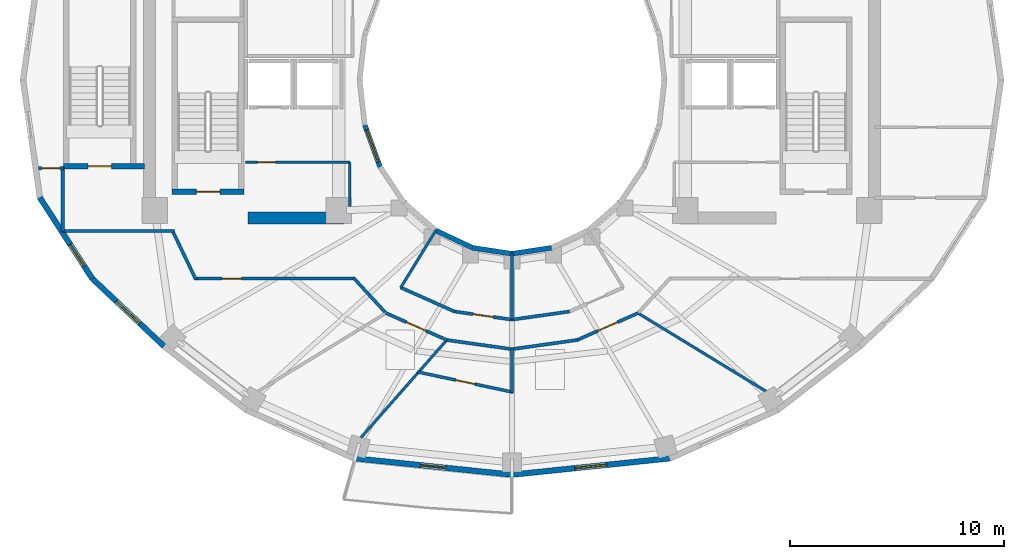
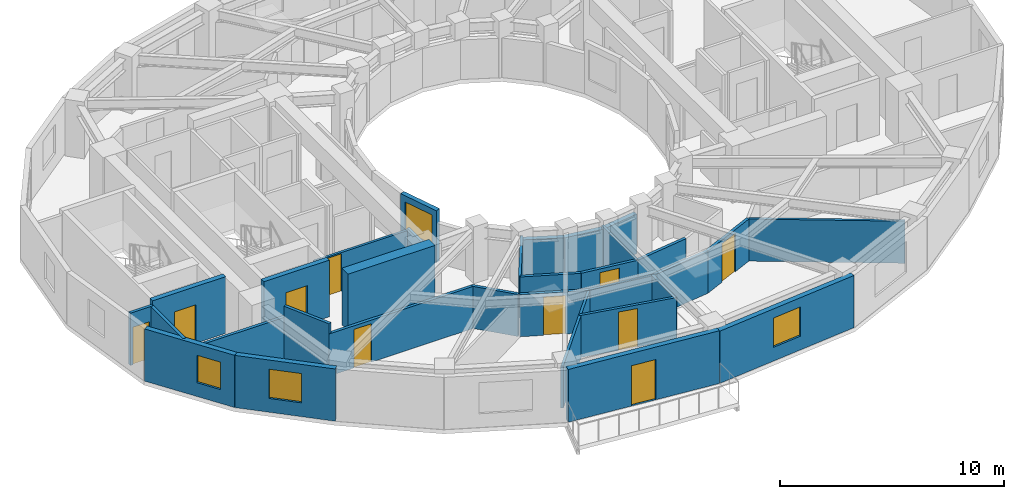
# One storey, part 3 of 9: 32 walls, 10 doors, 4 windows, 14 openings.
"""IFC4 building model written with IfcOpenShell, lengths in metres."""

from ifc_helpers import new_model, si_unit, direction, frame, frame_2d, origin, place, context, subcontext, project, spatial, rectangle, extrude, material, layer, layer_set, type_object, element, fill, save


model = new_model("IFC4")

# Units and contexts
model_context = context("Model", 3, precision=1e-05, world=origin(), true_north=direction((0.0, 1.0)))
body_context = subcontext(model_context, "Body", "Model", "MODEL_VIEW")
ifc_project = project(units=[si_unit("LENGTHUNIT", "METRE"), si_unit("AREAUNIT", "SQUARE_METRE"), si_unit("VOLUMEUNIT", "CUBIC_METRE"), si_unit("PLANEANGLEUNIT", "RADIAN"), si_unit("MASSUNIT", "GRAM", prefix="KILO")], contexts=[model_context])

# Site, building, storey
site_placement = place(None, origin())
site = spatial("IfcSite", under=ifc_project, at=site_placement, CompositionType="ELEMENT")
building_placement = place(site_placement, origin())
building = spatial("IfcBuilding", under=site, at=building_placement, Name="Solvane Sanctuary Tower", CompositionType="ELEMENT")
storey_placement = place(building_placement, frame((0.0, 0.0, 174.60009765625)))
storey = spatial("IfcBuildingStorey", under=building, at=storey_placement, Name="L53", CompositionType="ELEMENT", Elevation=174.60009765625)

# Wall
ifc_material_1 = material(Name="Concrete C50/60", Category="concrete")
ifc_layer_1 = layer(ifc_material_1, 0.550048828125, Name="Concrete C50/60")
ifc_layer_set_1 = layer_set([ifc_layer_1], Name="Concrete C50/60")
wall_type_1 = type_object("IfcWallType", Name="Wall W-CORE-550", PredefinedType="SHEAR", material=ifc_layer_set_1)
wall_1_placement = place(storey_placement, frame((19.64990234375, 16.550048828125, 0.0), z_axis=(0.0, 0.0, 1.0), x_axis=(1.0, 0.0, 0.0)))
element("IfcWall", 1, at=wall_1_placement, inside=storey, type_object=wall_type_1, Name="L53 Core Shear Wall WC-S", PredefinedType="SHEAR", context=body_context, shape_type="SweptSolid", body=[
    extrude(rectangle(XDim=4.5, YDim=0.550048828125, at=frame_2d((2.25, 0.0))), origin(), (0.0, 0.0, 1.0), 3.099853515625),
])

# Wall, opening, door
ifc_material_2 = material(Name="Acoustic Gypsum Partition Board")
ifc_layer_2 = layer(ifc_material_2, 0.14990234375, Name="Acoustic Gypsum Partition Board")
ifc_layer_set_2 = layer_set([ifc_layer_2], Name="Acoustic Gypsum Partition Board")
wall_type_2 = type_object("IfcWallType", Name="Wall W-CORR-150", PredefinedType="PARTITIONING", material=ifc_layer_set_2)
wall_2_placement = place(storey_placement, frame((9.869873046875, 18.8798828125, 0.0), z_axis=(0.0, 0.0, 1.0), x_axis=(1.0, 0.0, 0.0)))
wall_2 = element("IfcWall", 2, at=wall_2_placement, inside=storey, type_object=wall_type_2, Name="L53 SW Corner Closer 1", PredefinedType="PARTITIONING", context=body_context, shape_type="SweptSolid", body=[
    extrude(rectangle(XDim=1.170166015625, YDim=0.14990234375, at=frame_2d((0.5849609375, 0.0))), origin(), (0.0, 0.0, 1.0), 2.85498046875),
])
opening_1_placement = place(wall_2_placement, frame((0.139892578125, 0.0, 0.0)))
opening_1 = element("IfcOpeningElement", 3, at=opening_1_placement, cuts=wall_2, Name="Opening D-L53-16", PredefinedType="OPENING", context=body_context, shape_type="SweptSolid", body=[
    extrude(rectangle(XDim=0.85009765625, YDim=2.050048828125, at=frame_2d((0.425048828125, 1.02490234375))), frame((0.0, 0.0849609375, 0.0), z_axis=(0.0, -1.0, 0.0), x_axis=(1.0, 0.0, 0.0)), (0.0, 0.0, 1.0), 0.169921875),
])
ifc_material_3 = material(Name="Architectural Stainless Steel 316", Category="steel")
door_type_1 = type_object("IfcDoorType", Name="Door D-RISER", OperationType="NOTDEFINED", PredefinedType="DOOR", material=ifc_material_3)
door_1_placement = place(opening_1_placement, origin())
door_1 = element("IfcDoor", 4, at=door_1_placement, inside=storey, type_object=door_type_1, Name="L53 West Lookout Study Door", OperationType="SINGLE_SWING_LEFT", OverallHeight=2.050048828125, OverallWidth=0.85009765625, PredefinedType="DOOR", context=body_context, shape_type="SweptSolid", body=[
    extrude(rectangle(XDim=0.85009765625, YDim=2.050048828125, at=frame_2d((0.425048828125, 1.02490234375))), frame((0.0, 0.02490234375, 0.0), z_axis=(0.0, -1.0, 0.0), x_axis=(1.0, 0.0, 0.0)), (0.0, 0.0, 1.0), 0.050048828125),
])
fill(opening_1, door_1)

# Walls
wall_3_placement = place(storey_placement, frame((11.0, 15.909912109375, 0.0), z_axis=(0.0, 0.0, 1.0), x_axis=(0.0, 1.0, 0.0)))
element("IfcWall", 5, at=wall_3_placement, inside=storey, type_object=wall_type_2, Name="L53 SW Corner Closer 2", PredefinedType="PARTITIONING", context=body_context, shape_type="SweptSolid", body=[
    extrude(rectangle(XDim=3.010009765625, YDim=0.14990234375, at=frame_2d((1.5048828125, 0.0))), origin(), (0.0, 0.0, 1.0), 2.85498046875),
])
wall_4_placement = place(storey_placement, frame((10.9599609375, 15.949951171875, 0.0), z_axis=(0.0, 0.0, 1.0), x_axis=(1.0, 0.0, 0.0)))
element("IfcWall", 6, at=wall_4_placement, inside=storey, type_object=wall_type_2, Name="L53 SW Corner Closer 3", PredefinedType="PARTITIONING", context=body_context, shape_type="SweptSolid", body=[
    extrude(rectangle(XDim=5.260009765625, YDim=0.14990234375, at=frame_2d((2.6298828125, 0.0))), origin(), (0.0, 0.0, 1.0), 2.219970703125),
])
wall_5_placement = place(storey_placement, frame((26.07177734375, 12.144287109375, 0.0), z_axis=(0.0, 0.0, 1.0), x_axis=(-0.677579737957, 0.735449317567, 0.0)))
element("IfcWall", 7, at=wall_5_placement, inside=storey, type_object=wall_type_2, Name="L53 SW Corner Throat Wall", PredefinedType="PARTITIONING", context=body_context, shape_type="SweptSolid", body=[
    extrude(rectangle(XDim=2.172607421875, YDim=0.14990234375, at=frame_2d((1.08642578125, 0.0))), origin(), (0.0, 0.0, 1.0), 2.298828125),
])

# Wall, opening, door
wall_6_placement = place(storey_placement, frame((17.14990234375, 13.719970703125, 0.0), z_axis=(0.0, 0.0, 1.0), x_axis=(1.0, 0.0, 0.0)))
wall_6 = element("IfcWall", 8, at=wall_6_placement, inside=storey, type_object=wall_type_2, Name="L53 SW Corner Corridor Wall", PredefinedType="PARTITIONING", context=body_context, shape_type="SweptSolid", body=[
    extrude(rectangle(XDim=7.52001953125, YDim=0.14990234375, at=frame_2d((3.760009765625, 0.0))), origin(), (0.0, 0.0, 1.0), 2.298828125),
])
opening_2_placement = place(wall_6_placement, frame((1.300048828125, 0.0, 0.0)))
opening_2 = element("IfcOpeningElement", 9, at=opening_2_placement, cuts=wall_6, Name="Opening D-L53-17", PredefinedType="OPENING", context=body_context, shape_type="SweptSolid", body=[
    extrude(rectangle(XDim=0.89990234375, YDim=2.10009765625, at=frame_2d((0.449951171875, 1.050048828125))), frame((0.0, 0.0849609375, 0.0), z_axis=(0.0, -1.0, 0.0), x_axis=(1.0, 0.0, 0.0)), (0.0, 0.0, 1.0), 0.169921875),
])
ifc_material_4 = material(Name="Engineered Tropical Hardwood", Category="wood")
door_type_2 = type_object("IfcDoorType", Name="Door D-WET-900", OperationType="NOTDEFINED", PredefinedType="DOOR", material=ifc_material_4)
door_2_placement = place(opening_2_placement, origin())
door_2 = element("IfcDoor", 10, at=door_2_placement, inside=storey, type_object=door_type_2, Name="L53 SW Corner Salon Door", OperationType="SINGLE_SWING_RIGHT", OverallHeight=2.10009765625, OverallWidth=0.89990234375, PredefinedType="DOOR", context=body_context, shape_type="SweptSolid", body=[
    extrude(rectangle(XDim=0.89990234375, YDim=2.10009765625, at=frame_2d((0.449951171875, 1.050048828125))), frame((0.0, 0.02490234375, 0.0), z_axis=(0.0, -1.0, 0.0), x_axis=(1.0, 0.0, 0.0)), (0.0, 0.0, 1.0), 0.050048828125),
])
fill(opening_2, door_2)

# Walls
wall_7_placement = place(storey_placement, frame((17.2216796875, 13.6748046875, 0.0), z_axis=(0.0, 0.0, 1.0), x_axis=(-0.431973389813, 0.901886351207, 0.0)))
element("IfcWall", 11, at=wall_7_placement, inside=storey, type_object=wall_type_2, Name="L53 SW Corner Wing Wall", PredefinedType="PARTITIONING", context=body_context, shape_type="SweptSolid", body=[
    extrude(rectangle(XDim=2.45166015625, YDim=0.14990234375, at=frame_2d((1.225830078125, 0.0))), origin(), (0.0, 0.0, 1.0), 2.85498046875),
])
wall_8_placement = place(storey_placement, frame((26.792724609375, 13.302734375, 0.0), z_axis=(0.0, 0.0, 1.0), x_axis=(0.913145536541, -0.407633694749, 0.0)))
element("IfcWall", 12, at=wall_8_placement, inside=storey, type_object=wall_type_2, Name="L53 Inner Light-Well Corridor Wall S1", PredefinedType="PARTITIONING", context=body_context, shape_type="SweptSolid", body=[
    extrude(rectangle(XDim=2.75634765625, YDim=0.14990234375, at=frame_2d((1.378173828125, 0.0))), origin(), (0.0, 0.0, 1.0), 2.298828125),
])

# Wall, opening, door
wall_9_placement = place(storey_placement, frame((29.305908203125, 12.18017578125, 0.0), z_axis=(0.0, 0.0, 1.0), x_axis=(0.990145400278, -0.140043158738, 0.0)))
wall_9 = element("IfcWall", 13, at=wall_9_placement, inside=storey, type_object=wall_type_2, Name="L53 Inner Light-Well Corridor Wall S1", PredefinedType="PARTITIONING", context=body_context, shape_type="SweptSolid", body=[
    extrude(rectangle(XDim=2.728271484375, YDim=0.14990234375, at=frame_2d((1.3642578125, 0.0))), origin(), (0.0, 0.0, 1.0), 2.298828125),
])
opening_3_placement = place(wall_9_placement, frame((0.88916015625, 0.0, 0.0)))
opening_3 = element("IfcOpeningElement", 14, at=opening_3_placement, cuts=wall_9, Name="Opening D-L53-19", PredefinedType="OPENING", context=body_context, shape_type="SweptSolid", body=[
    extrude(rectangle(XDim=0.949951171875, YDim=2.10009765625, at=frame_2d((0.47509765625, 1.050048828125))), frame((0.0, 0.0849609375, 0.0), z_axis=(0.0, -1.0, 0.0), x_axis=(1.0, 0.0, 0.0)), (0.0, 0.0, 1.0), 0.169921875),
])
door_type_3 = type_object("IfcDoorType", Name="Door D-ROOM-950", OperationType="NOTDEFINED", PredefinedType="DOOR", material=ifc_material_4)
door_3_placement = place(opening_3_placement, origin())
door_3 = element("IfcDoor", 15, at=door_3_placement, inside=storey, type_object=door_type_3, Name="L53 Inner Light-Well Salon Door S1", OperationType="SINGLE_SWING_RIGHT", OverallHeight=2.10009765625, OverallWidth=0.949951171875, PredefinedType="DOOR", context=body_context, shape_type="SweptSolid", body=[
    extrude(rectangle(XDim=0.949951171875, YDim=2.10009765625, at=frame_2d((0.47509765625, 1.050048828125))), frame((0.0, 0.02490234375, 0.0), z_axis=(0.0, -1.0, 0.0), x_axis=(1.0, 0.0, 0.0)), (0.0, 0.0, 1.0), 0.050048828125),
])
fill(opening_3, door_3)

# Wall
wall_10_placement = place(storey_placement, frame((31.99267578125, 11.798095703125, 0.0), z_axis=(0.0, 0.0, 1.0), x_axis=(0.990145400278, 0.140043158738, 0.0)))
element("IfcWall", 16, at=wall_10_placement, inside=storey, type_object=wall_type_2, Name="L53 Inner Light-Well Corridor Wall S2", PredefinedType="PARTITIONING", context=body_context, shape_type="SweptSolid", body=[
    extrude(rectangle(XDim=2.728271484375, YDim=0.14990234375, at=frame_2d((1.3642578125, 0.0))), origin(), (0.0, 0.0, 1.0), 2.298828125),
])

# Wall, opening, door
wall_11_placement = place(storey_placement, frame((26.101806640625, 12.108154296875, 0.0), z_axis=(0.0, 0.0, 1.0), x_axis=(0.914519212393, -0.40454247016, 0.0)))
wall_11 = element("IfcWall", 17, at=wall_11_placement, inside=storey, type_object=wall_type_2, Name="L53 Unit Corridor Wall S1", PredefinedType="PARTITIONING", context=body_context, shape_type="SweptSolid", body=[
    extrude(rectangle(XDim=3.123779296875, YDim=0.14990234375, at=frame_2d((1.56201171875, 0.0))), origin(), (0.0, 0.0, 1.0), 2.298828125),
])
opening_4_placement = place(wall_11_placement, frame((1.061767578125, 0.0, 0.0)))
opening_4 = element("IfcOpeningElement", 18, at=opening_4_placement, cuts=wall_11, Name="Opening D-L53-24", PredefinedType="OPENING", context=body_context, shape_type="SweptSolid", body=[
    extrude(rectangle(XDim=1.0, YDim=2.10009765625, at=frame_2d((0.5, 1.050048828125))), frame((0.0, 0.0849609375, 0.0), z_axis=(0.0, -1.0, 0.0), x_axis=(1.0, 0.0, 0.0)), (0.0, 0.0, 1.0), 0.169921875),
])
door_type_4 = type_object("IfcDoorType", Name="Door D-UNIT", OperationType="NOTDEFINED", PredefinedType="DOOR", material=ifc_material_4)
door_4_placement = place(opening_4_placement, origin())
door_4 = element("IfcDoor", 19, at=door_4_placement, inside=storey, type_object=door_type_4, Name="L53 Unit Entrance Door S1", OperationType="SINGLE_SWING_LEFT", OverallHeight=2.10009765625, OverallWidth=1.0, PredefinedType="DOOR", context=body_context, shape_type="SweptSolid", body=[
    extrude(rectangle(XDim=1.0, YDim=2.10009765625, at=frame_2d((0.5, 1.050048828125))), frame((0.0, 0.02490234375, 0.0), z_axis=(0.0, -1.0, 0.0), x_axis=(1.0, 0.0, 0.0)), (0.0, 0.0, 1.0), 0.050048828125),
])
fill(opening_4, door_4)

# Walls
wall_12_placement = place(storey_placement, frame((28.901123046875, 10.853759765625, 0.0), z_axis=(0.0, 0.0, 1.0), x_axis=(0.990251283702, -0.139292480508, 0.0)))
element("IfcWall", 20, at=wall_12_placement, inside=storey, type_object=wall_type_2, Name="L53 En-suite Inner Wall S2", PredefinedType="PARTITIONING", context=body_context, shape_type="SweptSolid", body=[
    extrude(rectangle(XDim=3.179443359375, YDim=0.14990234375, at=frame_2d((1.58984375, 0.0))), origin(), (0.0, 0.0, 1.0), 2.298828125),
])
wall_13_placement = place(storey_placement, frame((31.99169921875, 10.41796875, 0.0), z_axis=(0.0, 0.0, 1.0), x_axis=(0.990254709652, 0.13926812274, 0.0)))
element("IfcWall", 21, at=wall_13_placement, inside=storey, type_object=wall_type_2, Name="L53 Unit Corridor Wall S2", PredefinedType="PARTITIONING", context=body_context, shape_type="SweptSolid", body=[
    extrude(rectangle(XDim=3.095947265625, YDim=0.14990234375, at=frame_2d((1.5478515625, 0.0))), origin(), (0.0, 0.0, 1.0), 2.298828125),
])

# Wall, opening, door
wall_14_placement = place(storey_placement, frame((35.04150390625, 10.844482421875, 0.0), z_axis=(0.0, 0.0, 1.0), x_axis=(0.914519212393, 0.40454247016, 0.0)))
wall_14 = element("IfcWall", 22, at=wall_14_placement, inside=storey, type_object=wall_type_2, Name="L53 Unit Corridor Wall S2", PredefinedType="PARTITIONING", context=body_context, shape_type="SweptSolid", body=[
    extrude(rectangle(XDim=3.123779296875, YDim=0.14990234375, at=frame_2d((1.56201171875, 0.0))), origin(), (0.0, 0.0, 1.0), 2.298828125),
])
opening_5_placement = place(wall_14_placement, frame((1.061767578125, 0.0, 0.0)))
opening_5 = element("IfcOpeningElement", 23, at=opening_5_placement, cuts=wall_14, Name="Opening D-L53-26", PredefinedType="OPENING", context=body_context, shape_type="SweptSolid", body=[
    extrude(rectangle(XDim=1.0, YDim=2.10009765625, at=frame_2d((0.5, 1.050048828125))), frame((0.0, 0.0849609375, 0.0), z_axis=(0.0, -1.0, 0.0), x_axis=(1.0, 0.0, 0.0)), (0.0, 0.0, 1.0), 0.169921875),
])
door_5_placement = place(opening_5_placement, origin())
door_5 = element("IfcDoor", 24, at=door_5_placement, inside=storey, type_object=door_type_4, Name="L53 Unit Entrance Door S2", OperationType="SINGLE_SWING_LEFT", OverallHeight=2.10009765625, OverallWidth=1.0, PredefinedType="DOOR", context=body_context, shape_type="SweptSolid", body=[
    extrude(rectangle(XDim=1.0, YDim=2.10009765625, at=frame_2d((0.5, 1.050048828125))), frame((0.0, 0.02490234375, 0.0), z_axis=(0.0, -1.0, 0.0), x_axis=(1.0, 0.0, 0.0)), (0.0, 0.0, 1.0), 0.050048828125),
])
fill(opening_5, door_5)

# Wall, opening, window
ifc_material_5 = material(Name="Precast concrete C40/50", Category="concrete")
ifc_layer_3 = layer(ifc_material_5, 0.260009765625, Name="Precast concrete C40/50")
ifc_layer_set_3 = layer_set([ifc_layer_3], Name="Precast concrete C40/50")
wall_type_3 = type_object("IfcWallType", Name="Wall W-EXT-250", PredefinedType="STANDARD", material=ifc_layer_set_3)
wall_15_placement = place(storey_placement, frame((9.9296875, 17.50341796875, 0.0), z_axis=(0.0, 0.0, 1.0), x_axis=(0.543358984534, -0.839500454989, 0.0)))
wall_15 = element("IfcWall", 25, at=wall_15_placement, inside=storey, type_object=wall_type_3, Name="L53 Ceramic-Printed Facade Wall 13", PredefinedType="STANDARD", context=body_context, shape_type="SweptSolid", body=[
    extrude(rectangle(XDim=4.51123046875, YDim=0.260009765625, at=frame_2d((2.255615234375, 0.0))), origin(), (0.0, 0.0, 1.0), 2.849853515625),
])
opening_6_placement = place(wall_15_placement, frame((2.615478515625, 0.0, 0.75)))
opening_6 = element("IfcOpeningElement", 26, at=opening_6_placement, cuts=wall_15, Name="Opening WN-OPER-1200", PredefinedType="OPENING", context=body_context, shape_type="SweptSolid", body=[
    extrude(rectangle(XDim=1.199951171875, YDim=1.5, at=frame_2d((0.60009765625, 0.75))), frame((0.0, 0.139892578125, 0.0), z_axis=(0.0, -1.0, 0.0), x_axis=(1.0, 0.0, 0.0)), (0.0, 0.0, 1.0), 0.280029296875),
])
ifc_material_6 = material(Name="Dark Ceramic-Fritted Low-E Glass", Category="glass")
window_type_1 = type_object("IfcWindowType", Name="Window WN-OPER-1200", PartitioningType="SINGLE_PANEL", PredefinedType="WINDOW", material=ifc_material_6)
window_1_placement = place(opening_6_placement, origin())
window_1 = element("IfcWindow", 27, at=window_1_placement, inside=storey, type_object=window_type_1, Name="L53 Operable Facade Window 13", OverallHeight=1.5, OverallWidth=1.199951171875, PartitioningType="SINGLE_PANEL", PredefinedType="WINDOW", context=body_context, shape_type="SweptSolid", body=[
    extrude(rectangle(XDim=1.199951171875, YDim=1.5, at=frame_2d((0.60009765625, 0.75))), frame((0.0, 0.030029296875, 0.0), z_axis=(0.0, -1.0, 0.0), x_axis=(1.0, 0.0, 0.0)), (0.0, 0.0, 1.0), 0.06005859375),
])
fill(opening_6, window_1)

wall_16_placement = place(storey_placement, frame((12.380859375, 13.71630859375, 0.0), z_axis=(0.0, 0.0, 1.0), x_axis=(0.727667301037, -0.68593024354, 0.0)))
wall_16 = element("IfcWall", 28, at=wall_16_placement, inside=storey, type_object=wall_type_3, Name="L53 Ceramic-Printed Facade Wall 14", PredefinedType="STANDARD", context=body_context, shape_type="SweptSolid", body=[
    extrude(rectangle(XDim=4.603515625, YDim=0.260009765625, at=frame_2d((2.3017578125, 0.0))), origin(), (0.0, 0.0, 1.0), 2.849853515625),
])
opening_7_placement = place(wall_16_placement, frame((1.5517578125, 0.0, 0.75)))
opening_7 = element("IfcOpeningElement", 29, at=opening_7_placement, cuts=wall_16, Name="Opening WN-OPER-1500", PredefinedType="OPENING", context=body_context, shape_type="SweptSolid", body=[
    extrude(rectangle(XDim=1.5, YDim=1.60009765625, at=frame_2d((0.75, 0.800048828125))), frame((0.0, 0.139892578125, 0.0), z_axis=(0.0, -1.0, 0.0), x_axis=(1.0, 0.0, 0.0)), (0.0, 0.0, 1.0), 0.280029296875),
])
window_type_2 = type_object("IfcWindowType", Name="Window WN-OPER-1500", PartitioningType="SINGLE_PANEL", PredefinedType="WINDOW", material=ifc_material_6)
window_2_placement = place(opening_7_placement, origin())
window_2 = element("IfcWindow", 30, at=window_2_placement, inside=storey, type_object=window_type_2, Name="L53 Operable Facade Window 14", OverallHeight=1.60009765625, OverallWidth=1.5, PartitioningType="SINGLE_PANEL", PredefinedType="WINDOW", context=body_context, shape_type="SweptSolid", body=[
    extrude(rectangle(XDim=1.5, YDim=1.60009765625, at=frame_2d((0.75, 0.800048828125))), frame((0.0, 0.030029296875, 0.0), z_axis=(0.0, -1.0, 0.0), x_axis=(1.0, 0.0, 0.0)), (0.0, 0.0, 1.0), 0.06005859375),
])
fill(opening_7, window_2)

# Wall, opening, door
wall_17_placement = place(storey_placement, frame((24.634765625, 5.3154296875, 0.0), z_axis=(0.0, 0.0, 1.0), x_axis=(0.994664178965, -0.10316574569, 0.0)))
wall_17 = element("IfcWall", 31, at=wall_17_placement, inside=storey, type_object=wall_type_3, Name="L53 Balcony Facade Wall SC", PredefinedType="STANDARD", context=body_context, shape_type="SweptSolid", body=[
    extrude(rectangle(XDim=7.40478515625, YDim=0.260009765625, at=frame_2d((3.702392578125, 0.0))), origin(), (0.0, 0.0, 1.0), 2.8798828125),
])
opening_8_placement = place(wall_17_placement, frame((3.102294921875, 0.0, 0.0)))
opening_8 = element("IfcOpeningElement", 32, at=opening_8_placement, cuts=wall_17, Name="Opening D-L53-02", PredefinedType="OPENING", context=body_context, shape_type="SweptSolid", body=[
    extrude(rectangle(XDim=1.199951171875, YDim=2.199951171875, at=frame_2d((0.60009765625, 1.10009765625))), frame((0.0, 0.139892578125, 0.0), z_axis=(0.0, -1.0, 0.0), x_axis=(1.0, 0.0, 0.0)), (0.0, 0.0, 1.0), 0.280029296875),
])
ifc_material_7 = material(Name="Anodised Aluminium 6063-T6", Category="aluminium")
door_type_5 = type_object("IfcDoorType", Name="Door D-BALC-1200", OperationType="NOTDEFINED", PredefinedType="DOOR", material=ifc_material_7)
door_6_placement = place(opening_8_placement, origin())
door_6 = element("IfcDoor", 33, at=door_6_placement, inside=storey, type_object=door_type_5, Name="L53 Glazed Balcony Door SC", OperationType="SINGLE_SWING_LEFT", OverallHeight=2.199951171875, OverallWidth=1.199951171875, PredefinedType="DOOR", context=body_context, shape_type="SweptSolid", body=[
    extrude(rectangle(XDim=1.199951171875, YDim=2.199951171875, at=frame_2d((0.60009765625, 1.10009765625))), frame((0.0, 0.02490234375, 0.0), z_axis=(0.0, -1.0, 0.0), x_axis=(1.0, 0.0, 0.0)), (0.0, 0.0, 1.0), 0.050048828125),
])
fill(opening_8, door_6)

# Wall, opening, window
wall_18_placement = place(storey_placement, frame((32.0, 4.551513671875, 0.0), z_axis=(0.0, 0.0, 1.0), x_axis=(0.994664178965, 0.10316574569, 0.0)))
wall_18 = element("IfcWall", 34, at=wall_18_placement, inside=storey, type_object=wall_type_3, Name="L53 Ceramic-Printed Facade Wall 18", PredefinedType="STANDARD", context=body_context, shape_type="SweptSolid", body=[
    extrude(rectangle(XDim=7.40478515625, YDim=0.260009765625, at=frame_2d((3.702392578125, 0.0))), origin(), (0.0, 0.0, 1.0), 2.849853515625),
])
opening_9_placement = place(wall_18_placement, frame((2.952392578125, 0.0, 0.75)))
opening_9 = element("IfcOpeningElement", 35, at=opening_9_placement, cuts=wall_18, Name="Opening WN-OPER-1500", PredefinedType="OPENING", context=body_context, shape_type="SweptSolid", body=[
    extrude(rectangle(XDim=1.5, YDim=1.60009765625, at=frame_2d((0.75, 0.800048828125))), frame((0.0, 0.139892578125, 0.0), z_axis=(0.0, -1.0, 0.0), x_axis=(1.0, 0.0, 0.0)), (0.0, 0.0, 1.0), 0.280029296875),
])
window_3_placement = place(opening_9_placement, origin())
window_3 = element("IfcWindow", 36, at=window_3_placement, inside=storey, type_object=window_type_2, Name="L53 Operable Facade Window 18", OverallHeight=1.60009765625, OverallWidth=1.5, PartitioningType="SINGLE_PANEL", PredefinedType="WINDOW", context=body_context, shape_type="SweptSolid", body=[
    extrude(rectangle(XDim=1.5, YDim=1.60009765625, at=frame_2d((0.75, 0.800048828125))), frame((0.0, 0.030029296875, 0.0), z_axis=(0.0, -1.0, 0.0), x_axis=(1.0, 0.0, 0.0)), (0.0, 0.0, 1.0), 0.06005859375),
])
fill(opening_9, window_3)

ifc_layer_4 = layer(ifc_material_5, 0.22998046875, Name="Precast concrete C40/50")
ifc_layer_set_4 = layer_set([ifc_layer_4], Name="Precast concrete C40/50")
wall_type_4 = type_object("IfcWallType", Name="Wall W-EXT-SP220", PredefinedType="STANDARD", material=ifc_layer_set_4)
wall_19_placement = place(storey_placement, frame((25.12255859375, 20.8984375, 0.0), z_axis=(0.0, 0.0, 1.0), x_axis=(0.341423187295, -0.93990968033, 0.0)))
wall_19 = element("IfcWall", 37, at=wall_19_placement, inside=storey, type_object=wall_type_4, Name="L53 Central Light-Well Wall 13", PredefinedType="STANDARD", context=body_context, shape_type="SweptSolid", body=[
    extrude(rectangle(XDim=2.083740234375, YDim=0.22998046875, at=frame_2d((1.0419921875, 0.0))), origin(), (0.0, 0.0, 1.0), 2.83984375),
])
opening_10_placement = place(wall_19_placement, frame((0.24169921875, 0.0, 0.85009765625)))
opening_10 = element("IfcOpeningElement", 38, at=opening_10_placement, cuts=wall_19, Name="Opening WN-WELL-1600", PredefinedType="OPENING", context=body_context, shape_type="SweptSolid", body=[
    extrude(rectangle(XDim=1.60009765625, YDim=1.64990234375, at=frame_2d((0.800048828125, 0.824951171875))), frame((0.0, 0.125, 0.0), z_axis=(0.0, -1.0, 0.0), x_axis=(1.0, 0.0, 0.0)), (0.0, 0.0, 1.0), 0.25),
])
ifc_material_8 = material(Name="Clear Laminated Light-Well Glass", Category="glass")
window_type_3 = type_object("IfcWindowType", Name="Window WN-WELL-1600", PartitioningType="SINGLE_PANEL", PredefinedType="WINDOW", material=ifc_material_8)
window_4_placement = place(opening_10_placement, origin())
window_4 = element("IfcWindow", 39, at=window_4_placement, inside=storey, type_object=window_type_3, Name="L53 Light-Well Daylight Window 13", OverallHeight=1.64990234375, OverallWidth=1.60009765625, PartitioningType="SINGLE_PANEL", PredefinedType="WINDOW", context=body_context, shape_type="SweptSolid", body=[
    extrude(rectangle(XDim=1.60009765625, YDim=1.64990234375, at=frame_2d((0.800048828125, 0.824951171875))), frame((0.0, 0.030029296875, 0.0), z_axis=(0.0, -1.0, 0.0), x_axis=(1.0, 0.0, 0.0)), (0.0, 0.0, 1.0), 0.06005859375),
])
fill(opening_10, window_4)

# Walls
wall_20_placement = place(storey_placement, frame((28.43994140625, 15.968017578125, 0.0), z_axis=(0.0, 0.0, 1.0), x_axis=(0.904179699603, -0.427152280606, 0.0)))
element("IfcWall", 40, at=wall_20_placement, inside=storey, type_object=wall_type_4, Name="L53 Central Light-Well Wall 16", PredefinedType="STANDARD", context=body_context, shape_type="SweptSolid", body=[
    extrude(rectangle(XDim=1.899169921875, YDim=0.22998046875, at=frame_2d((0.94970703125, 0.0))), origin(), (0.0, 0.0, 1.0), 2.159912109375),
])
for number, where, z_axis, x_axis, name in (
    (41, (30.1572265625, 15.15673828125, 0.0), (0.0, 0.0, 1.0), (0.988901730308, -0.148571086668, 0.0), "L53 Central Light-Well Wall 17"),
    (42, (32.0, 14.8798828125, 0.0), (0.0, 0.0, 1.0), (0.988901730308, 0.148571086668, 0.0), "L53 Central Light-Well Wall 18"),
):
    element("IfcWall", number, at=place(storey_placement, frame(where, z_axis=z_axis, x_axis=x_axis)), inside=storey, type_object=wall_type_4, Name=name, PredefinedType="STANDARD", context=body_context, shape_type="SweptSolid", body=[
        extrude(rectangle(XDim=1.863525390625, YDim=0.22998046875, at=frame_2d((0.931640625, 0.0))), origin(), (0.0, 0.0, 1.0), 2.159912109375),
    ])

# Wall, opening, door
ifc_layer_5 = layer(ifc_material_2, 0.125, Name="Acoustic Gypsum Partition Board")
ifc_layer_set_5 = layer_set([ifc_layer_5], Name="Acoustic Gypsum Partition Board")
wall_type_5 = type_object("IfcWallType", Name="Wall W-PART-125", PredefinedType="PARTITIONING", material=ifc_layer_set_5)
wall_21_placement = place(storey_placement, frame((19.550048828125, 19.159912109375, 0.0), z_axis=(0.0, 0.0, 1.0), x_axis=(1.0, 0.0, 0.0)))
wall_21 = element("IfcWall", 43, at=wall_21_placement, inside=storey, type_object=wall_type_5, Name="L53 Reclaimed Room Partition PLW", PredefinedType="PARTITIONING", context=body_context, shape_type="SweptSolid", body=[
    extrude(rectangle(XDim=4.869873046875, YDim=0.125, at=frame_2d((2.43505859375, 0.0))), origin(), (0.0, 0.0, 1.0), 2.119873046875),
])
opening_11_placement = place(wall_21_placement, frame((0.550048828125, 0.0, 0.0)))
opening_11 = element("IfcOpeningElement", 44, at=opening_11_placement, cuts=wall_21, Name="Opening D-L53-08", PredefinedType="OPENING", context=body_context, shape_type="SweptSolid", body=[
    extrude(rectangle(XDim=0.85009765625, YDim=2.050048828125, at=frame_2d((0.425048828125, 1.02490234375))), frame((0.0, 0.072509765625, 0.0), z_axis=(0.0, -1.0, 0.0), x_axis=(1.0, 0.0, 0.0)), (0.0, 0.0, 1.0), 0.14501953125),
])
door_7_placement = place(opening_11_placement, origin())
door_7 = element("IfcDoor", 45, at=door_7_placement, inside=storey, type_object=door_type_1, Name="L53 Reclaimed Room Door PLW-1", OperationType="SINGLE_SWING_LEFT", OverallHeight=2.050048828125, OverallWidth=0.85009765625, PredefinedType="DOOR", context=body_context, shape_type="SweptSolid", body=[
    extrude(rectangle(XDim=0.85009765625, YDim=2.050048828125, at=frame_2d((0.425048828125, 1.02490234375))), frame((0.0, 0.02490234375, 0.0), z_axis=(0.0, -1.0, 0.0), x_axis=(1.0, 0.0, 0.0)), (0.0, 0.0, 1.0), 0.050048828125),
])
fill(opening_11, door_7)

# Walls
wall_22_placement = place(storey_placement, frame((24.419921875, 17.10009765625, 0.0), z_axis=(0.0, 0.0, 1.0), x_axis=(0.0, 1.0, 0.0)))
element("IfcWall", 46, at=wall_22_placement, inside=storey, type_object=wall_type_5, Name="L53 Reclaimed Room Closer Wall PLW-1", PredefinedType="PARTITIONING", context=body_context, shape_type="SweptSolid", body=[
    extrude(rectangle(XDim=2.039794921875, YDim=0.125, at=frame_2d((1.02001953125, 0.0))), origin(), (0.0, 0.0, 1.0), 2.23193359375),
])
wall_23_placement = place(storey_placement, frame((28.449951171875, 15.985107421875, 0.0), z_axis=(0.0, 0.0, 1.0), x_axis=(-0.523587550846, -0.851971875474, 0.0)))
element("IfcWall", 47, at=wall_23_placement, inside=storey, type_object=wall_type_5, Name="L53 Inner Light-Well Radial Wall 240", PredefinedType="PARTITIONING", context=body_context, shape_type="SweptSolid", body=[
    extrude(rectangle(XDim=3.153076171875, YDim=0.125, at=frame_2d((1.57666015625, 0.0))), origin(), (0.0, 0.0, 1.0), 2.298828125),
])
wall_24_placement = place(storey_placement, frame((32.0, 14.89990234375, 0.0), z_axis=(0.0, 0.0, 1.0), x_axis=(0.0, -1.0, 0.0)))
element("IfcWall", 48, at=wall_24_placement, inside=storey, type_object=wall_type_5, Name="L53 Inner Light-Well Radial Wall 270", PredefinedType="PARTITIONING", context=body_context, shape_type="SweptSolid", body=[
    extrude(rectangle(XDim=3.101806640625, YDim=0.125, at=frame_2d((1.55078125, 0.0))), origin(), (0.0, 0.0, 1.0), 2.298828125),
])
wall_25_placement = place(storey_placement, frame((28.914306640625, 10.805419921875, 0.0), z_axis=(0.0, 0.0, 1.0), x_axis=(-0.660581320981, -0.750754499401, 0.0)))
element("IfcWall", 49, at=wall_25_placement, inside=storey, type_object=wall_type_5, Name="L53 Radial Compartment Wall 255", PredefinedType="PARTITIONING", context=body_context, shape_type="SweptSolid", body=[
    extrude(rectangle(XDim=6.02685546875, YDim=0.125, at=frame_2d((3.013427734375, 0.0))), origin(), (0.0, 0.0, 1.0), 2.298828125),
])
wall_26_placement = place(storey_placement, frame((37.93798828125, 12.074951171875, 0.0), z_axis=(0.0, 0.0, 1.0), x_axis=(0.853440334679, -0.521190555501, 0.0)))
element("IfcWall", 50, at=wall_26_placement, inside=storey, type_object=wall_type_5, Name="L53 Radial Compartment Wall 300", PredefinedType="PARTITIONING", context=body_context, shape_type="SweptSolid", body=[
    extrude(rectangle(XDim=6.966064453125, YDim=0.125, at=frame_2d((3.48291015625, 0.0))), origin(), (0.0, 0.0, 1.0), 2.298828125),
])

# Wall, opening, door
ifc_layer_6 = layer(ifc_material_1, 0.25, Name="Concrete C50/60")
ifc_layer_set_6 = layer_set([ifc_layer_6], Name="Concrete C50/60")
wall_type_6 = type_object("IfcWallType", Name="Wall W-SHAFT-250", PredefinedType="SOLIDWALL", material=ifc_layer_set_6)
wall_27_placement = place(storey_placement, frame((16.10498046875, 17.77001953125, 0.0), z_axis=(0.0, 0.0, 1.0), x_axis=(1.0, 0.0, 0.0)))
wall_27 = element("IfcWall", 51, at=wall_27_placement, inside=storey, type_object=wall_type_6, Name="L53 ST-1 Load-Bearing Shaft Wall S", PredefinedType="SOLIDWALL", context=body_context, shape_type="SweptSolid", body=[
    extrude(rectangle(XDim=3.3701171875, YDim=0.25, at=frame_2d((1.68505859375, 0.0))), origin(), (0.0, 0.0, 1.0), 3.099853515625),
])
opening_12_placement = place(wall_27_placement, frame((1.135009765625, 0.0, 0.0)))
opening_12 = element("IfcOpeningElement", 52, at=opening_12_placement, cuts=wall_27, Name="Opening D-L53-03", PredefinedType="OPENING", context=body_context, shape_type="SweptSolid", body=[
    extrude(rectangle(XDim=1.10009765625, YDim=2.10009765625, at=frame_2d((0.550048828125, 1.050048828125))), frame((0.0, 0.135009765625, 0.0), z_axis=(0.0, -1.0, 0.0), x_axis=(1.0, 0.0, 0.0)), (0.0, 0.0, 1.0), 0.27001953125),
])
door_type_6 = type_object("IfcDoorType", Name="Door D-STAIR", OperationType="NOTDEFINED", PredefinedType="DOOR", material=ifc_material_3)
door_8_placement = place(opening_12_placement, origin())
door_8 = element("IfcDoor", 53, at=door_8_placement, inside=storey, type_object=door_type_6, Name="L53 ST-1 Exit Stair Fire Door", OperationType="SINGLE_SWING_LEFT", OverallHeight=2.10009765625, OverallWidth=1.10009765625, PredefinedType="DOOR", context=body_context, shape_type="SweptSolid", body=[
    extrude(rectangle(XDim=1.10009765625, YDim=2.10009765625, at=frame_2d((0.550048828125, 1.050048828125))), frame((0.0, 0.02490234375, 0.0), z_axis=(0.0, -1.0, 0.0), x_axis=(1.0, 0.0, 0.0)), (0.0, 0.0, 1.0), 0.050048828125),
])
fill(opening_12, door_8)

wall_28_placement = place(storey_placement, frame((11.044921875, 18.969970703125, 0.0), z_axis=(0.0, 0.0, 1.0), x_axis=(1.0, 0.0, 0.0)))
wall_28 = element("IfcWall", 54, at=wall_28_placement, inside=storey, type_object=wall_type_6, Name="L53 ST-3 Load-Bearing Shaft Wall S", PredefinedType="SOLIDWALL", context=body_context, shape_type="SweptSolid", body=[
    extrude(rectangle(XDim=3.781982421875, YDim=0.25, at=frame_2d((1.89111328125, 0.0))), origin(), (0.0, 0.0, 1.0), 3.099853515625),
])
opening_13_placement = place(wall_28_placement, frame((1.135009765625, 0.0, 0.0)))
opening_13 = element("IfcOpeningElement", 55, at=opening_13_placement, cuts=wall_28, Name="Opening D-L53-05", PredefinedType="OPENING", context=body_context, shape_type="SweptSolid", body=[
    extrude(rectangle(XDim=1.10009765625, YDim=2.10009765625, at=frame_2d((0.550048828125, 1.050048828125))), frame((0.0, 0.135009765625, 0.0), z_axis=(0.0, -1.0, 0.0), x_axis=(1.0, 0.0, 0.0)), (0.0, 0.0, 1.0), 0.27001953125),
])
door_9_placement = place(opening_13_placement, origin())
door_9 = element("IfcDoor", 56, at=door_9_placement, inside=storey, type_object=door_type_6, Name="L53 ST-3 Exit Stair Fire Door", OperationType="SINGLE_SWING_LEFT", OverallHeight=2.10009765625, OverallWidth=1.10009765625, PredefinedType="DOOR", context=body_context, shape_type="SweptSolid", body=[
    extrude(rectangle(XDim=1.10009765625, YDim=2.10009765625, at=frame_2d((0.550048828125, 1.050048828125))), frame((0.0, 0.02490234375, 0.0), z_axis=(0.0, -1.0, 0.0), x_axis=(1.0, 0.0, 0.0)), (0.0, 0.0, 1.0), 0.050048828125),
])
fill(opening_13, door_9)

# Wall
ifc_layer_7 = layer(ifc_material_2, 0.139892578125, Name="Acoustic Gypsum Partition Board")
ifc_layer_set_7 = layer_set([ifc_layer_7], Name="Acoustic Gypsum Partition Board")
wall_type_7 = type_object("IfcWallType", Name="Wall W-WET-140", PredefinedType="PLUMBINGWALL", material=ifc_layer_set_7)
wall_29_placement = place(storey_placement, frame((32.0, 10.468017578125, 0.0), z_axis=(0.0, 0.0, 1.0), x_axis=(0.0, -1.0, 0.0)))
element("IfcWall", 57, at=wall_29_placement, inside=storey, type_object=wall_type_7, Name="L53 En-suite Side Partition S2", PredefinedType="PLUMBINGWALL", context=body_context, shape_type="SweptSolid", body=[
    extrude(rectangle(XDim=2.10009765625, YDim=0.139892578125, at=frame_2d((1.050048828125, 0.0))), origin(), (0.0, 0.0, 1.0), 2.298828125),
])

# Wall, opening, door
wall_30_placement = place(storey_placement, frame((27.58056640625, 9.355712890625, 0.0), z_axis=(0.0, 0.0, 1.0), x_axis=(0.978225905005, -0.20754295646, 0.0)))
wall_30 = element("IfcWall", 58, at=wall_30_placement, inside=storey, type_object=wall_type_7, Name="L53 En-suite Bedroom Wall S2", PredefinedType="PLUMBINGWALL", context=body_context, shape_type="SweptSolid", body=[
    extrude(rectangle(XDim=4.567626953125, YDim=0.139892578125, at=frame_2d((2.28369140625, 0.0))), origin(), (0.0, 0.0, 1.0), 2.298828125),
])
opening_14_placement = place(wall_30_placement, frame((1.833984375, 0.0, 0.0)))
opening_14 = element("IfcOpeningElement", 59, at=opening_14_placement, cuts=wall_30, Name="Opening D-L53-25", PredefinedType="OPENING", context=body_context, shape_type="SweptSolid", body=[
    extrude(rectangle(XDim=0.89990234375, YDim=2.10009765625, at=frame_2d((0.449951171875, 1.050048828125))), frame((0.0, 0.079833984375, 0.0), z_axis=(0.0, -1.0, 0.0), x_axis=(1.0, 0.0, 0.0)), (0.0, 0.0, 1.0), 0.159912109375),
])
door_10_placement = place(opening_14_placement, origin())
door_10 = element("IfcDoor", 60, at=door_10_placement, inside=storey, type_object=door_type_2, Name="L53 En-suite Bathroom Door S2", OperationType="SINGLE_SWING_RIGHT", OverallHeight=2.10009765625, OverallWidth=0.89990234375, PredefinedType="DOOR", context=body_context, shape_type="SweptSolid", body=[
    extrude(rectangle(XDim=0.89990234375, YDim=2.10009765625, at=frame_2d((0.449951171875, 1.050048828125))), frame((0.0, 0.02490234375, 0.0), z_axis=(0.0, -1.0, 0.0), x_axis=(1.0, 0.0, 0.0)), (0.0, 0.0, 1.0), 0.050048828125),
])
fill(opening_14, door_10)

save(model, "model.ifc")
